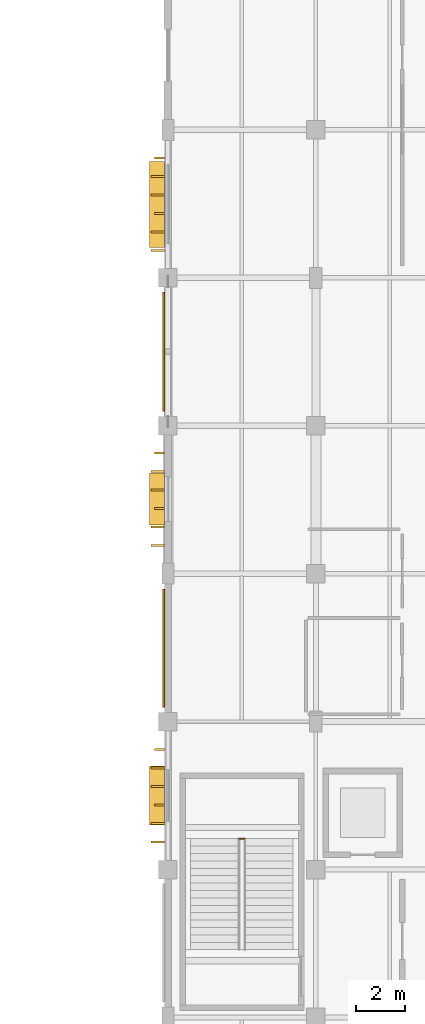
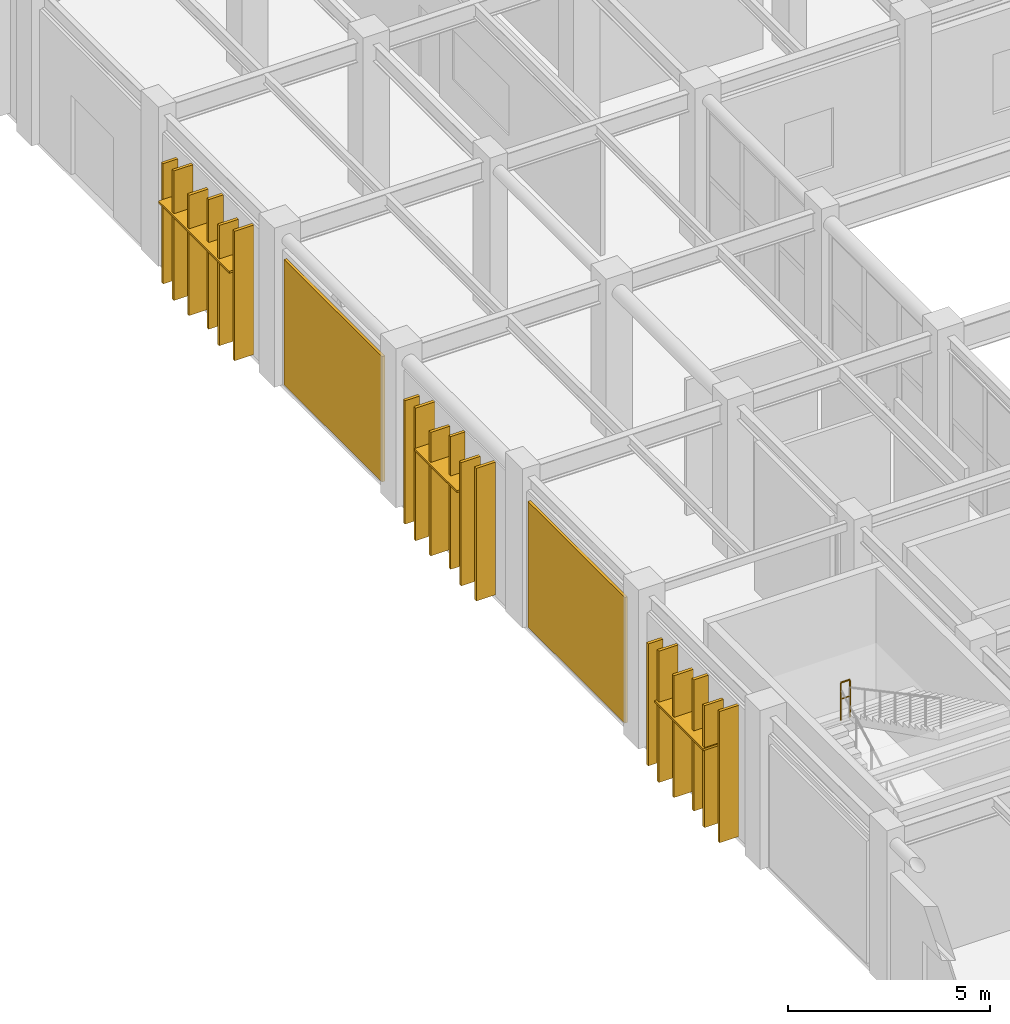
# One storey, part 64 of 76: 18 coverings, 5 shading devices, 1 railing.
"""IFC4 building model written with IfcOpenShell, lengths in metres."""

from ifc_helpers import new_model, si_unit, direction, frame, origin, origin_2d, place, context, subcontext, project, spatial, rectangle, circle, extrude, material, layer, layer_set, type_object, element, save


model = new_model("IFC4")

# Units and contexts
model_context = context("Model", 3, precision=1e-05, world=origin(), true_north=direction((0.0, 1.0)))
body_context = subcontext(model_context, "Body", "Model", "MODEL_VIEW")
ifc_project = project(units=[si_unit("LENGTHUNIT", "METRE"), si_unit("AREAUNIT", "SQUARE_METRE"), si_unit("VOLUMEUNIT", "CUBIC_METRE"), si_unit("PLANEANGLEUNIT", "RADIAN"), si_unit("MASSUNIT", "GRAM", prefix="KILO")], contexts=[model_context])

# Site, building, storey
site_placement = place(None, origin())
site = spatial("IfcSite", under=ifc_project, at=site_placement, CompositionType="ELEMENT")
building_placement = place(site_placement, origin())
building = spatial("IfcBuilding", under=site, at=building_placement, Name="Varnakota Square Police Headquarters", CompositionType="ELEMENT")
storey_placement = place(building_placement, origin())
storey = spatial("IfcBuildingStorey", under=building, at=storey_placement, Name="L00", CompositionType="ELEMENT", Elevation=0.0)

# Coverings
ifc_material_1 = material(Name="White Anodised Aluminium Vertical Facade Blade 420", Category="aluminium")
ifc_layer_1 = layer(ifc_material_1, 0.0849609375, Name="White Anodised Aluminium Vertical Facade Blade 420")
ifc_layer_set_1 = layer_set([ifc_layer_1], Name="White Anodised Aluminium Vertical Facade Blade 420")
covering_type_1 = type_object("IfcCoveringType", Name="COV-FIN-420", PredefinedType="CLADDING", material=ifc_layer_set_1)
covering_1_placement = place(storey_placement, frame((5.655029296875, 35.625, 0.0400390625), z_axis=(0.0, 0.0, 1.0), x_axis=(0.0, 1.0, 0.0)))
element("IfcCovering", 1, at=covering_1_placement, inside=storey, type_object=covering_type_1, Name="Vertical aluminium facade fin FIN-0902", PredefinedType="CLADDING", context=body_context, shape_type="SweptSolid", body=[
    extrude(rectangle(XDim=0.0849609375, YDim=0.419921875, at=origin_2d()), origin(), (0.0, 0.0, 1.0), 3.9599609375),
])
covering_2_placement = place(storey_placement, frame((5.655029296875, 37.875, 0.0400390625), z_axis=(0.0, 0.0, 1.0), x_axis=(0.0, 1.0, 0.0)))
element("IfcCovering", 2, at=covering_2_placement, inside=storey, type_object=covering_type_1, Name="Vertical aluminium facade fin FIN-0905", PredefinedType="CLADDING", context=body_context, shape_type="SweptSolid", body=[
    extrude(rectangle(XDim=0.0849609375, YDim=0.419921875, at=origin_2d()), origin(), (0.0, 0.0, 1.0), 3.679931640625),
])
covering_3_placement = place(storey_placement, frame((5.655029296875, 47.64990234375, 0.0400390625), z_axis=(0.0, 0.0, 1.0), x_axis=(0.0, 1.0, 0.0)))
element("IfcCovering", 3, at=covering_3_placement, inside=storey, type_object=covering_type_1, Name="Vertical aluminium facade fin FIN-0908", PredefinedType="CLADDING", context=body_context, shape_type="SweptSolid", body=[
    extrude(rectangle(XDim=0.0849609375, YDim=0.419921875, at=origin_2d()), origin(), (0.0, 0.0, 1.0), 4.003662109375),
])
covering_4_placement = place(storey_placement, frame((5.655029296875, 49.89990234375, 0.0400390625), z_axis=(0.0, 0.0, 1.0), x_axis=(0.0, 1.0, 0.0)))
element("IfcCovering", 4, at=covering_4_placement, inside=storey, type_object=covering_type_1, Name="Vertical aluminium facade fin FIN-0911", PredefinedType="CLADDING", context=body_context, shape_type="SweptSolid", body=[
    extrude(rectangle(XDim=0.0849609375, YDim=0.419921875, at=origin_2d()), origin(), (0.0, 0.0, 1.0), 3.7236328125),
])
covering_5_placement = place(storey_placement, frame((5.655029296875, 59.60009765625, 0.0400390625), z_axis=(0.0, 0.0, 1.0), x_axis=(0.0, 1.0, 0.0)))
element("IfcCovering", 5, at=covering_5_placement, inside=storey, type_object=covering_type_1, Name="Vertical aluminium facade fin FIN-0914", PredefinedType="CLADDING", context=body_context, shape_type="SweptSolid", body=[
    extrude(rectangle(XDim=0.0849609375, YDim=0.419921875, at=origin_2d()), origin(), (0.0, 0.0, 1.0), 3.909912109375),
])
covering_6_placement = place(storey_placement, frame((5.655029296875, 61.85009765625, 0.0400390625), z_axis=(0.0, 0.0, 1.0), x_axis=(0.0, 1.0, 0.0)))
element("IfcCovering", 6, at=covering_6_placement, inside=storey, type_object=covering_type_1, Name="Vertical aluminium facade fin FIN-0917", PredefinedType="CLADDING", context=body_context, shape_type="SweptSolid", body=[
    extrude(rectangle(XDim=0.0849609375, YDim=0.419921875, at=origin_2d()), origin(), (0.0, 0.0, 1.0), 3.6298828125),
])
ifc_material_2 = material(Name="White Anodised Aluminium Vertical Facade Blade 550", Category="aluminium")
ifc_layer_2 = layer(ifc_material_2, 0.0849609375, Name="White Anodised Aluminium Vertical Facade Blade 550")
ifc_layer_set_2 = layer_set([ifc_layer_2], Name="White Anodised Aluminium Vertical Facade Blade 550")
covering_type_2 = type_object("IfcCoveringType", Name="COV-FIN-550", PredefinedType="CLADDING", material=ifc_layer_set_2)
covering_7_placement = place(storey_placement, frame((5.590087890625, 34.125, 0.0400390625), z_axis=(0.0, 0.0, 1.0), x_axis=(0.0, 1.0, 0.0)))
element("IfcCovering", 7, at=covering_7_placement, inside=storey, type_object=covering_type_2, Name="Vertical aluminium facade fin FIN-0900", PredefinedType="CLADDING", context=body_context, shape_type="SweptSolid", body=[
    extrude(rectangle(XDim=0.0849609375, YDim=0.550048828125, at=origin_2d()), origin(), (0.0, 0.0, 1.0), 3.9599609375),
])
for number, where, z_axis, x_axis, name in (
    (8, (5.590087890625, 34.875, 0.0400390625), (0.0, 0.0, 1.0), (0.0, 1.0, 0.0), "Vertical aluminium facade fin FIN-0901"),
    (9, (5.590087890625, 36.375, 0.0400390625), (0.0, 0.0, 1.0), (0.0, 1.0, 0.0), "Vertical aluminium facade fin FIN-0903"),
):
    element("IfcCovering", number, at=place(storey_placement, frame(where, z_axis=z_axis, x_axis=x_axis)), inside=storey, type_object=covering_type_2, Name=name, PredefinedType="CLADDING", context=body_context, shape_type="SweptSolid", body=[
        extrude(rectangle(XDim=0.0849609375, YDim=0.550048828125, at=origin_2d()), origin(), (0.0, 0.0, 1.0), 3.679931640625),
    ])
covering_8_placement = place(storey_placement, frame((5.590087890625, 37.125, 0.0400390625), z_axis=(0.0, 0.0, 1.0), x_axis=(0.0, 1.0, 0.0)))
element("IfcCovering", 10, at=covering_8_placement, inside=storey, type_object=covering_type_2, Name="Vertical aluminium facade fin FIN-0904", PredefinedType="CLADDING", context=body_context, shape_type="SweptSolid", body=[
    extrude(rectangle(XDim=0.0849609375, YDim=0.550048828125, at=origin_2d()), origin(), (0.0, 0.0, 1.0), 3.9599609375),
])
covering_9_placement = place(storey_placement, frame((5.590087890625, 46.14990234375, 0.0400390625), z_axis=(0.0, 0.0, 1.0), x_axis=(0.0, 1.0, 0.0)))
element("IfcCovering", 11, at=covering_9_placement, inside=storey, type_object=covering_type_2, Name="Vertical aluminium facade fin FIN-0906", PredefinedType="CLADDING", context=body_context, shape_type="SweptSolid", body=[
    extrude(rectangle(XDim=0.0849609375, YDim=0.550048828125, at=origin_2d()), origin(), (0.0, 0.0, 1.0), 4.003662109375),
])
for number, where, z_axis, x_axis, name in (
    (12, (5.590087890625, 46.89990234375, 0.0400390625), (0.0, 0.0, 1.0), (0.0, 1.0, 0.0), "Vertical aluminium facade fin FIN-0907"),
    (13, (5.590087890625, 48.39990234375, 0.0400390625), (0.0, 0.0, 1.0), (0.0, 1.0, 0.0), "Vertical aluminium facade fin FIN-0909"),
):
    element("IfcCovering", number, at=place(storey_placement, frame(where, z_axis=z_axis, x_axis=x_axis)), inside=storey, type_object=covering_type_2, Name=name, PredefinedType="CLADDING", context=body_context, shape_type="SweptSolid", body=[
        extrude(rectangle(XDim=0.0849609375, YDim=0.550048828125, at=origin_2d()), origin(), (0.0, 0.0, 1.0), 3.7236328125),
    ])
covering_10_placement = place(storey_placement, frame((5.590087890625, 49.14990234375, 0.0400390625), z_axis=(0.0, 0.0, 1.0), x_axis=(0.0, 1.0, 0.0)))
element("IfcCovering", 14, at=covering_10_placement, inside=storey, type_object=covering_type_2, Name="Vertical aluminium facade fin FIN-0910", PredefinedType="CLADDING", context=body_context, shape_type="SweptSolid", body=[
    extrude(rectangle(XDim=0.0849609375, YDim=0.550048828125, at=origin_2d()), origin(), (0.0, 0.0, 1.0), 4.003662109375),
])
covering_11_placement = place(storey_placement, frame((5.590087890625, 58.10009765625, 0.0400390625), z_axis=(0.0, 0.0, 1.0), x_axis=(0.0, 1.0, 0.0)))
element("IfcCovering", 15, at=covering_11_placement, inside=storey, type_object=covering_type_2, Name="Vertical aluminium facade fin FIN-0912", PredefinedType="CLADDING", context=body_context, shape_type="SweptSolid", body=[
    extrude(rectangle(XDim=0.0849609375, YDim=0.550048828125, at=origin_2d()), origin(), (0.0, 0.0, 1.0), 3.909912109375),
])
for number, where, z_axis, x_axis, name in (
    (16, (5.590087890625, 58.85009765625, 0.0400390625), (0.0, 0.0, 1.0), (0.0, 1.0, 0.0), "Vertical aluminium facade fin FIN-0913"),
    (17, (5.590087890625, 60.35009765625, 0.0400390625), (0.0, 0.0, 1.0), (0.0, 1.0, 0.0), "Vertical aluminium facade fin FIN-0915"),
):
    element("IfcCovering", number, at=place(storey_placement, frame(where, z_axis=z_axis, x_axis=x_axis)), inside=storey, type_object=covering_type_2, Name=name, PredefinedType="CLADDING", context=body_context, shape_type="SweptSolid", body=[
        extrude(rectangle(XDim=0.0849609375, YDim=0.550048828125, at=origin_2d()), origin(), (0.0, 0.0, 1.0), 3.6298828125),
    ])
covering_12_placement = place(storey_placement, frame((5.590087890625, 61.10009765625, 0.0400390625), z_axis=(0.0, 0.0, 1.0), x_axis=(0.0, 1.0, 0.0)))
element("IfcCovering", 18, at=covering_12_placement, inside=storey, type_object=covering_type_2, Name="Vertical aluminium facade fin FIN-0916", PredefinedType="CLADDING", context=body_context, shape_type="SweptSolid", body=[
    extrude(rectangle(XDim=0.0849609375, YDim=0.550048828125, at=origin_2d()), origin(), (0.0, 0.0, 1.0), 3.909912109375),
])

# Railing
ifc_material_3 = material(Name="Laminated Glass and Stainless Steel Balustrade", Category="steel")
railing_type = type_object("IfcRailingType", Name="RL-INT-1150", PredefinedType="BALUSTRADE", material=ifc_material_3)
railing_placement = place(storey_placement, frame((8.869873046875, 34.250732421875, 2.39990234375)))
element("IfcRailing", 19, at=railing_placement, inside=storey, type_object=railing_type, Name="Half-landing well guard C4 L00", PredefinedType="BALUSTRADE", context=body_context, shape_type="SweptSolid", body=[
    extrude(circle(Radius=0.02392578125, at=origin_2d()), frame((0.0, 0.0, 1.1259765625), z_axis=(1.0, 0.0, 0.0), x_axis=(0.0, 1.0, 0.0)), (0.0, 0.0, 1.0), 0.26025390625),
    extrude(circle(Radius=0.01806640625, at=origin_2d()), frame((0.0, 0.0, 0.63232421875), z_axis=(1.0, 0.0, 0.0), x_axis=(0.0, 1.0, 0.0)), (0.0, 0.0, 1.0), 0.26025390625),
    extrude(circle(Radius=0.02099609375, at=origin_2d()), origin(), (0.0, 0.0, 1.0), 1.101806640625),
    extrude(circle(Radius=0.02099609375, at=origin_2d()), frame((0.26025390625, 0.0, 0.0)), (0.0, 0.0, 1.0), 1.101806640625),
])

# Shading devices
ifc_material_4 = material(Name="Anodised Aluminium Horizontal Brise-Soleil", Category="aluminium")
ifc_layer_3 = layer(ifc_material_4, 0.06005859375, Name="Anodised Aluminium Horizontal Brise-Soleil")
ifc_layer_set_3 = layer_set([ifc_layer_3], Name="Anodised Aluminium Horizontal Brise-Soleil")
shading_device_type_1 = type_object("IfcShadingDeviceType", Name="SHD-JAL-600", PredefinedType="JALOUSIE", material=ifc_layer_set_3)
shading_device_1_placement = place(storey_placement, frame((5.56201171875, 36.0, 2.39990234375), z_axis=(0.0, 0.0, 1.0), x_axis=(0.0, 1.0, 0.0)))
element("IfcShadingDevice", 20, at=shading_device_1_placement, inside=storey, type_object=shading_device_type_1, Name="Horizontal sunshade SHD-041", PredefinedType="JALOUSIE", context=body_context, shape_type="SweptSolid", body=[
    extrude(rectangle(XDim=2.39990234375, YDim=0.60009765625, at=origin_2d()), origin(), (0.0, 0.0, 1.0), 0.06005859375),
])
shading_device_2_placement = place(storey_placement, frame((5.56201171875, 48.02490234375, 2.800048828125), z_axis=(0.0, 0.0, 1.0), x_axis=(0.0, 1.0, 0.0)))
element("IfcShadingDevice", 21, at=shading_device_2_placement, inside=storey, type_object=shading_device_type_1, Name="Horizontal sunshade SHD-042", PredefinedType="JALOUSIE", context=body_context, shape_type="SweptSolid", body=[
    extrude(rectangle(XDim=2.10009765625, YDim=0.60009765625, at=origin_2d()), origin(), (0.0, 0.0, 1.0), 0.06005859375),
])
shading_device_3_placement = place(storey_placement, frame((5.56201171875, 59.97509765625, 2.599853515625), z_axis=(0.0, 0.0, 1.0), x_axis=(0.0, 1.0, 0.0)))
element("IfcShadingDevice", 22, at=shading_device_3_placement, inside=storey, type_object=shading_device_type_1, Name="Horizontal sunshade SHD-043", PredefinedType="JALOUSIE", context=body_context, shape_type="SweptSolid", body=[
    extrude(rectangle(XDim=3.5, YDim=0.60009765625, at=origin_2d()), origin(), (0.0, 0.0, 1.0), 0.06005859375),
])
ifc_material_5 = material(Name="Perforated Sandstone-Toned GRC Jali Screen", Category="masonry")
ifc_layer_4 = layer(ifc_material_5, 0.080078125, Name="Perforated Sandstone-Toned GRC Jali Screen")
ifc_layer_set_4 = layer_set([ifc_layer_4], Name="Perforated Sandstone-Toned GRC Jali Screen")
shading_device_type_2 = type_object("IfcShadingDeviceType", Name="SHD-SCR-GRC", PredefinedType="USERDEFINED", material=ifc_layer_set_4)
shading_device_4_placement = place(storey_placement, frame((5.822021484375, 41.97509765625, 0.14990234375), z_axis=(0.0, 0.0, 1.0), x_axis=(0.0, 1.0, 0.0)))
element("IfcShadingDevice", 23, at=shading_device_4_placement, inside=storey, type_object=shading_device_type_2, Name="Perforated GRC solar screen SCR-002", ObjectType="SOLAR SCREEN", PredefinedType="USERDEFINED", context=body_context, shape_type="SweptSolid", body=[
    extrude(rectangle(XDim=4.7919921875, YDim=0.080078125, at=origin_2d()), origin(), (0.0, 0.0, 1.0), 3.7900390625),
])
shading_device_5_placement = place(storey_placement, frame((5.822021484375, 54.0, 0.14990234375), z_axis=(0.0, 0.0, 1.0), x_axis=(0.0, 1.0, 0.0)))
element("IfcShadingDevice", 24, at=shading_device_5_placement, inside=storey, type_object=shading_device_type_2, Name="Perforated GRC solar screen SCR-003", ObjectType="SOLAR SCREEN", PredefinedType="USERDEFINED", context=body_context, shape_type="SweptSolid", body=[
    extrude(rectangle(XDim=4.842041015625, YDim=0.080078125, at=origin_2d()), origin(), (0.0, 0.0, 1.0), 3.78369140625),
])

save(model, "model.ifc")
